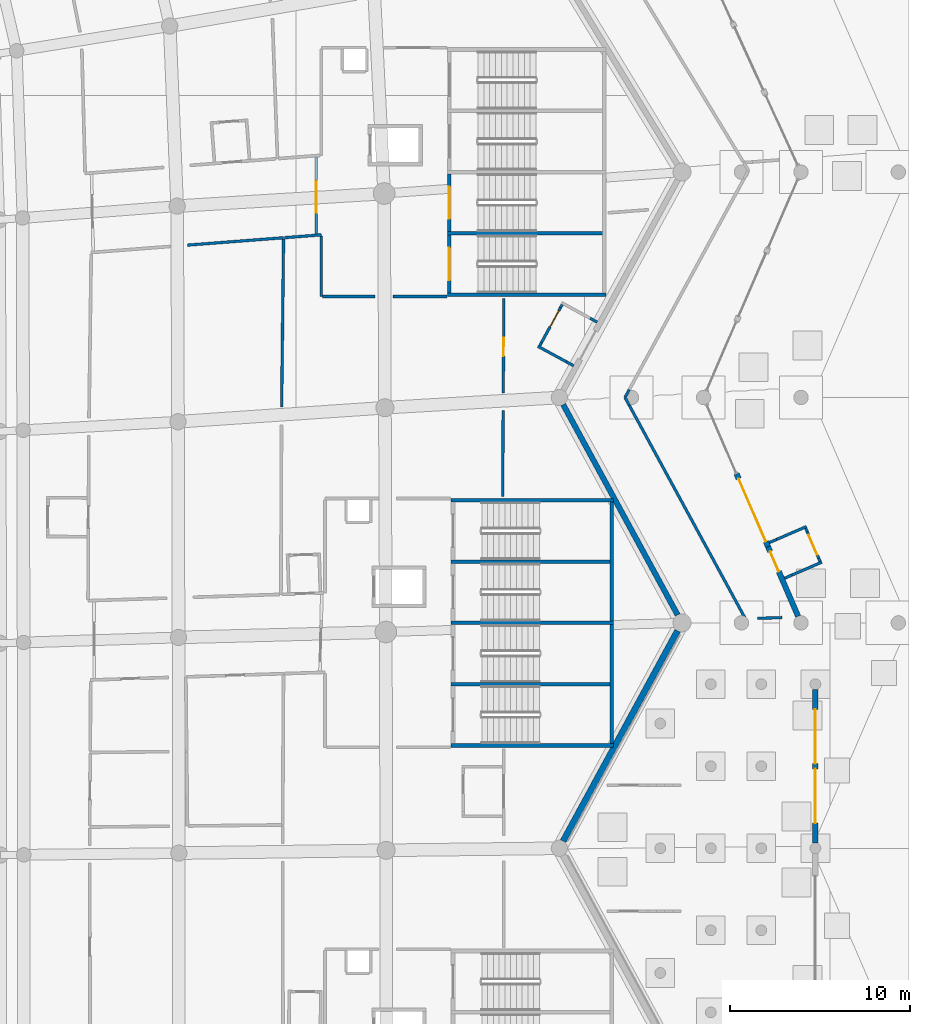
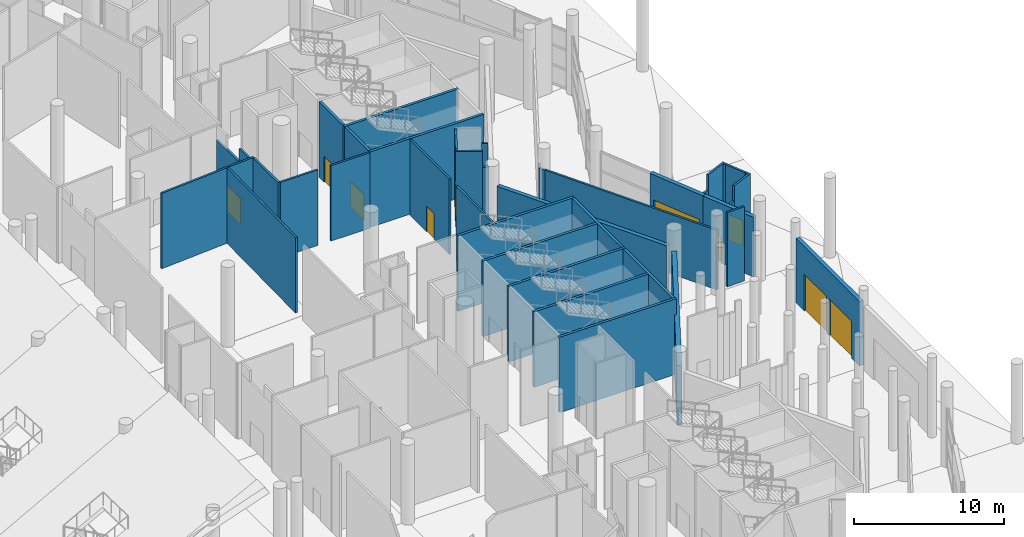
# One storey, part 146 of 255: 43 walls, 10 doors, 10 openings.
"""IFC4 building model written with IfcOpenShell, lengths in metres."""

from ifc_helpers import new_model, si_unit, direction, frame, frame_2d, origin, place, context, subcontext, project, spatial, rectangle, extrude, material, layer, layer_set, type_object, element, fill, save


model = new_model("IFC4")

# Units and contexts
model_context = context("Model", 3, precision=1e-05, world=origin(), true_north=direction((0.0, 1.0)))
body_context = subcontext(model_context, "Body", "Model", "MODEL_VIEW")
ifc_project = project(units=[si_unit("LENGTHUNIT", "METRE"), si_unit("AREAUNIT", "SQUARE_METRE"), si_unit("VOLUMEUNIT", "CUBIC_METRE"), si_unit("PLANEANGLEUNIT", "RADIAN"), si_unit("MASSUNIT", "GRAM", prefix="KILO")], contexts=[model_context])

# Site, building, storey
site_placement = place(None, origin())
site = spatial("IfcSite", under=ifc_project, at=site_placement, CompositionType="ELEMENT")
building_placement = place(site_placement, origin())
building = spatial("IfcBuilding", under=site, at=building_placement, Name="Meseta Stadium", CompositionType="ELEMENT")
storey_placement = place(building_placement, origin())
storey = spatial("IfcBuildingStorey", under=building, at=storey_placement, Name="L00", CompositionType="ELEMENT", Elevation=0.0)

# Walls
ifc_material_1 = material(Name="Concrete C40/50", Category="concrete")
ifc_layer_1 = layer(ifc_material_1, 0.199951171875)
ifc_layer_set_1 = layer_set([ifc_layer_1], Name="Core divider wall 200")
wall_type_1 = type_object("IfcWallType", Name="Core divider wall 200", PredefinedType="SHEAR", material=ifc_layer_set_1)
for number, where, z_axis, x_axis, name in (
    (1, (97.60009765625, 15.35009765625, 0.0), (0.0, 0.0, 1.0), (-1.0, 0.0, 0.0), "Core 04 L00 stair A divider wall"),
    (2, (97.60009765625, 22.14990234375, 0.0), (0.0, 0.0, 1.0), (-1.0, 0.0, 0.0), "Core 04 L00 stair B divider wall"),
):
    element("IfcWall", number, at=place(storey_placement, frame(where, z_axis=z_axis, x_axis=x_axis)), inside=storey, type_object=wall_type_1, Name=name, PredefinedType="SHEAR", context=body_context, shape_type="SweptSolid", body=[
        extrude(rectangle(XDim=9.0, YDim=0.199951171875, at=frame_2d((4.5, 0.0))), origin(), (0.0, 0.0, 1.0), 6.14990234375),
    ])
wall_1_placement = place(storey_placement, frame((97.199951171875, 40.35009765625, 0.0), z_axis=(0.0, 0.0, 1.0), x_axis=(-1.0, 0.0, 0.0)))
element("IfcWall", 3, at=wall_1_placement, inside=storey, type_object=wall_type_1, Name="Core 05 L00 stair A divider wall", PredefinedType="SHEAR", context=body_context, shape_type="SweptSolid", body=[
    extrude(rectangle(XDim=8.800048828125, YDim=0.199951171875, at=frame_2d((4.39990234375, 0.0))), origin(), (0.0, 0.0, 1.0), 6.14990234375),
])
ifc_material_2 = material(Name="Concrete C40/50", Category="concrete")
ifc_layer_2 = layer(ifc_material_2, 0.199951171875)
ifc_layer_set_2 = layer_set([ifc_layer_2], Name="Core shaft wall 200")
wall_type_2 = type_object("IfcWallType", Name="Core shaft wall 200", PredefinedType="SHEAR", material=ifc_layer_set_2)
for number, where, z_axis, x_axis, name in (
    (4, (97.60009765625, 11.949951171875, 0.0), (0.0, 0.0, 1.0), (-1.0, 0.0, 0.0), "Core 04 L00 stair wall A-side"),
    (5, (97.60009765625, 18.75, 0.0), (0.0, 0.0, 1.0), (-1.0, 0.0, 0.0), "Core 04 L00 stair wall shared"),
    (6, (97.60009765625, 25.550048828125, 0.0), (0.0, 0.0, 1.0), (-1.0, 0.0, 0.0), "Core 04 L00 stair wall B-side"),
):
    element("IfcWall", number, at=place(storey_placement, frame(where, z_axis=z_axis, x_axis=x_axis)), inside=storey, type_object=wall_type_2, Name=name, PredefinedType="SHEAR", context=body_context, shape_type="SweptSolid", body=[
        extrude(rectangle(XDim=9.0, YDim=0.199951171875, at=frame_2d((4.5, 0.0))), origin(), (0.0, 0.0, 1.0), 6.14990234375),
    ])
for number, where, z_axis, x_axis, name in (
    (7, (97.5, 12.050048828125, 0.0), (0.0, 0.0, 1.0), (0.0, 1.0, 0.0), "Core 04 L00 stair A outer end wall"),
    (8, (97.5, 18.85009765625, 0.0), (0.0, 0.0, 1.0), (0.0, 1.0, 0.0), "Core 04 L00 stair B outer end wall"),
):
    element("IfcWall", number, at=place(storey_placement, frame(where, z_axis=z_axis, x_axis=x_axis)), inside=storey, type_object=wall_type_2, Name=name, PredefinedType="SHEAR", context=body_context, shape_type="SweptSolid", body=[
        extrude(rectangle(XDim=6.599853515625, YDim=0.199951171875, at=frame_2d((3.2998046875, 0.0))), origin(), (0.0, 0.0, 1.0), 6.14990234375),
    ])
wall_2_placement = place(storey_placement, frame((97.199951171875, 36.949951171875, 0.0), z_axis=(0.0, 0.0, 1.0), x_axis=(-1.0, 0.0, 0.0)))
element("IfcWall", 9, at=wall_2_placement, inside=storey, type_object=wall_type_2, Name="Core 05 L00 stair wall A-side", PredefinedType="SHEAR", context=body_context, shape_type="SweptSolid", body=[
    extrude(rectangle(XDim=8.800048828125, YDim=0.199951171875, at=frame_2d((4.39990234375, 0.0))), origin(), (0.0, 0.0, 1.0), 6.14990234375),
])

# Wall, opening, door
wall_3_placement = place(storey_placement, frame((88.5, 37.050048828125, 0.0), z_axis=(0.0, 0.0, 1.0), x_axis=(0.0, 1.0, 0.0)))
wall_3 = element("IfcWall", 10, at=wall_3_placement, inside=storey, type_object=wall_type_2, Name="Core 05 L00 stair A1 inner end wall", PredefinedType="SHEAR", context=body_context, shape_type="SweptSolid", body=[
    extrude(rectangle(XDim=3.199951171875, YDim=0.199951171875, at=frame_2d((1.60009765625, 0.0))), origin(), (0.0, 0.0, 1.0), 6.14990234375),
])
opening_1_placement = place(wall_3_placement, frame((0.699951171875, 0.0, 0.0)))
opening_1 = element("IfcOpeningElement", 11, at=opening_1_placement, cuts=wall_3, Name="Opening D083", PredefinedType="OPENING", context=body_context, shape_type="SweptSolid", body=[
    extrude(rectangle(XDim=1.800048828125, YDim=2.10009765625, at=frame_2d((0.89990234375, 1.050048828125))), frame((0.0, 0.10986328125, 0.0), z_axis=(0.0, -1.0, 0.0), x_axis=(1.0, 0.0, 0.0)), (0.0, 0.0, 1.0), 0.219970703125),
])
ifc_material_3 = material(Name="Steel", Category="steel")
door_type_1 = type_object("IfcDoorType", Name="Stair door 1800x2100", OperationType="DOUBLE_DOOR_SINGLE_SWING", PredefinedType="DOOR", material=ifc_material_3)
door_1_placement = place(opening_1_placement, origin())
door_1 = element("IfcDoor", 12, at=door_1_placement, inside=storey, type_object=door_type_1, Name="Stair A1 door 05 L00", OperationType="DOUBLE_DOOR_SINGLE_SWING", OverallHeight=2.10009765625, OverallWidth=1.800048828125, PredefinedType="DOOR", context=body_context, shape_type="SweptSolid", body=[
    extrude(rectangle(XDim=1.800048828125, YDim=2.10009765625, at=frame_2d((0.89990234375, 1.050048828125))), frame((0.0, 0.02490234375, 0.0), z_axis=(0.0, -1.0, 0.0), x_axis=(1.0, 0.0, 0.0)), (0.0, 0.0, 1.0), 0.050048828125),
])
fill(opening_1, door_1)

wall_4_placement = place(storey_placement, frame((88.5, 40.449951171875, 0.0), z_axis=(0.0, 0.0, 1.0), x_axis=(0.0, 1.0, 0.0)))
wall_4 = element("IfcWall", 13, at=wall_4_placement, inside=storey, type_object=wall_type_2, Name="Core 05 L00 stair A2 inner end wall", PredefinedType="SHEAR", context=body_context, shape_type="SweptSolid", body=[
    extrude(rectangle(XDim=3.199951171875, YDim=0.199951171875, at=frame_2d((1.60009765625, 0.0))), origin(), (0.0, 0.0, 1.0), 6.14990234375),
])
opening_2_placement = place(wall_4_placement, frame((0.699951171875, 0.0, 0.0)))
opening_2 = element("IfcOpeningElement", 14, at=opening_2_placement, cuts=wall_4, Name="Opening D084", PredefinedType="OPENING", context=body_context, shape_type="SweptSolid", body=[
    extrude(rectangle(XDim=1.800048828125, YDim=2.10009765625, at=frame_2d((0.89990234375, 1.050048828125))), frame((0.0, 0.10986328125, 0.0), z_axis=(0.0, -1.0, 0.0), x_axis=(1.0, 0.0, 0.0)), (0.0, 0.0, 1.0), 0.219970703125),
])
door_2_placement = place(opening_2_placement, origin())
door_2 = element("IfcDoor", 15, at=door_2_placement, inside=storey, type_object=door_type_1, Name="Stair A2 door 05 L00", OperationType="DOUBLE_DOOR_SINGLE_SWING", OverallHeight=2.10009765625, OverallWidth=1.800048828125, PredefinedType="DOOR", context=body_context, shape_type="SweptSolid", body=[
    extrude(rectangle(XDim=1.800048828125, YDim=2.10009765625, at=frame_2d((0.89990234375, 1.050048828125))), frame((0.0, 0.02490234375, 0.0), z_axis=(0.0, -1.0, 0.0), x_axis=(1.0, 0.0, 0.0)), (0.0, 0.0, 1.0), 0.050048828125),
])
fill(opening_2, door_2)

# Wall, openings, doors
ifc_material_4 = material(Name="Precast concrete C40/50", Category="concrete")
ifc_layer_3 = layer(ifc_material_4, 0.300048828125)
ifc_layer_set_3 = layer_set([ifc_layer_3], Name="Gate facade panel wall 300")
wall_type_3 = type_object("IfcWallType", Name="Gate facade panel wall 300", PredefinedType="SOLIDWALL", material=ifc_layer_set_3)
wall_5_placement = place(storey_placement, frame((108.800048828125, 15.050048828125, 0.0), z_axis=(0.0, 0.0, 1.0), x_axis=(0.0, -1.0, 0.0)))
wall_5 = element("IfcWall", 16, at=wall_5_placement, inside=storey, type_object=wall_type_3, Name="Gate 1 entrance wall", PredefinedType="SOLIDWALL", context=body_context, shape_type="SweptSolid", body=[
    extrude(rectangle(XDim=8.5, YDim=0.300048828125, at=frame_2d((4.25, 0.0))), origin(), (0.0, 0.0, 1.0), 5.25),
])
opening_3_placement = place(wall_5_placement, frame((4.39990234375, 0.0, 0.0)))
opening_3 = element("IfcOpeningElement", 17, at=opening_3_placement, cuts=wall_5, Name="Opening D005", PredefinedType="OPENING", context=body_context, shape_type="SweptSolid", body=[
    extrude(rectangle(XDim=3.0, YDim=3.0, at=frame_2d((1.5, 1.5))), frame((0.0, 0.159912109375, 0.0), z_axis=(0.0, -1.0, 0.0), x_axis=(1.0, 0.0, 0.0)), (0.0, 0.0, 1.0), 0.320068359375),
])
opening_4_placement = place(wall_5_placement, frame((1.10009765625, 0.0, 0.0)))
opening_4 = element("IfcOpeningElement", 18, at=opening_4_placement, cuts=wall_5, Name="Opening D006", PredefinedType="OPENING", context=body_context, shape_type="SweptSolid", body=[
    extrude(rectangle(XDim=3.0, YDim=3.0, at=frame_2d((1.5, 1.5))), frame((0.0, 0.159912109375, 0.0), z_axis=(0.0, -1.0, 0.0), x_axis=(1.0, 0.0, 0.0)), (0.0, 0.0, 1.0), 0.320068359375),
])
ifc_material_5 = material(Name="Steel", Category="steel")
door_type_2 = type_object("IfcDoorType", Name="Pedestrian exit door 3000x3000", OperationType="DOUBLE_DOOR_SINGLE_SWING", PredefinedType="DOOR", material=ifc_material_5)
door_3_placement = place(opening_3_placement, origin())
door_3 = element("IfcDoor", 19, at=door_3_placement, inside=storey, type_object=door_type_2, Name="Pedestrian exit gate G1", OperationType="DOUBLE_DOOR_SINGLE_SWING", OverallHeight=3.0, OverallWidth=3.0, PredefinedType="DOOR", context=body_context, shape_type="SweptSolid", body=[
    extrude(rectangle(XDim=3.0, YDim=3.0, at=frame_2d((1.5, 1.5))), frame((0.0, 0.02490234375, 0.0), z_axis=(0.0, -1.0, 0.0), x_axis=(1.0, 0.0, 0.0)), (0.0, 0.0, 1.0), 0.050048828125),
])
fill(opening_3, door_3)
door_4_placement = place(opening_4_placement, origin())
door_4 = element("IfcDoor", 20, at=door_4_placement, inside=storey, type_object=door_type_2, Name="Pedestrian exit gate G1", OperationType="DOUBLE_DOOR_SINGLE_SWING", OverallHeight=3.0, OverallWidth=3.0, PredefinedType="DOOR", context=body_context, shape_type="SweptSolid", body=[
    extrude(rectangle(XDim=3.0, YDim=3.0, at=frame_2d((1.5, 1.5))), frame((0.0, 0.02490234375, 0.0), z_axis=(0.0, -1.0, 0.0), x_axis=(1.0, 0.0, 0.0)), (0.0, 0.0, 1.0), 0.050048828125),
])
fill(opening_4, door_4)

# Walls
ifc_material_6 = material(Name="Masonry blockwork", Category="masonry")
ifc_layer_4 = layer(ifc_material_6, 0.14990234375)
ifc_layer_set_4 = layer_set([ifc_layer_4], Name="Partition 150")
wall_type_4 = type_object("IfcWallType", Name="Partition 150", PredefinedType="PARTITIONING", material=ifc_layer_set_4)
wall_6_placement = place(storey_placement, frame((73.971923828125, 39.69921875, 0.0), z_axis=(0.0, 0.0, 1.0), x_axis=(0.997067356456, 0.076528992484, 0.0)))
element("IfcWall", 21, at=wall_6_placement, inside=storey, type_object=wall_type_4, Name="Partition L00 L00-cell03-1-0", PredefinedType="PARTITIONING", context=body_context, shape_type="SweptSolid", body=[
    extrude(rectangle(XDim=5.349853515625, YDim=0.14990234375, at=frame_2d((2.6748046875, 0.0))), origin(), (0.0, 0.0, 1.0), 6.14990234375),
])
wall_7_placement = place(storey_placement, frame((79.305419921875, 40.033447265625, 0.0), z_axis=(0.0, 0.0, 1.0), x_axis=(-0.011498912263, -0.999933885323, 0.0)))
element("IfcWall", 22, at=wall_7_placement, inside=storey, type_object=wall_type_4, Name="Partition L00 L00-cell03-1-0", PredefinedType="PARTITIONING", context=body_context, shape_type="SweptSolid", body=[
    extrude(rectangle(XDim=9.32080078125, YDim=0.14990234375, at=frame_2d((4.660400390625, 0.0))), origin(), (0.0, 0.0, 1.0), 6.14990234375),
])
wall_8_placement = place(storey_placement, frame((79.35595703125, 40.112548828125, 0.0), z_axis=(0.0, 0.0, 1.0), x_axis=(0.997072672084, 0.076459705623, 0.0)))
element("IfcWall", 23, at=wall_8_placement, inside=storey, type_object=wall_type_4, Name="Partition L00 L00-cell03-2-0", PredefinedType="PARTITIONING", context=body_context, shape_type="SweptSolid", body=[
    extrude(rectangle(XDim=2.050048828125, YDim=0.14990234375, at=frame_2d((1.02490234375, 0.0))), origin(), (0.0, 0.0, 1.0), 6.14990234375),
])
wall_9_placement = place(storey_placement, frame((81.39990234375, 40.194091796875, 0.0), z_axis=(0.0, 0.0, 1.0), x_axis=(0.0, -1.0, 0.0)))
element("IfcWall", 24, at=wall_9_placement, inside=storey, type_object=wall_type_4, Name="Partition L00 L00-cell03-2-0", PredefinedType="PARTITIONING", context=body_context, shape_type="SweptSolid", body=[
    extrude(rectangle(XDim=3.343994140625, YDim=0.14990234375, at=frame_2d((1.671875, 0.0))), origin(), (0.0, 0.0, 1.0), 6.14990234375),
])
wall_10_placement = place(storey_placement, frame((81.47509765625, 36.85009765625, 0.0), z_axis=(0.0, 0.0, 1.0), x_axis=(1.0, 0.0, 0.0)))
element("IfcWall", 25, at=wall_10_placement, inside=storey, type_object=wall_type_4, Name="Partition L00 L00-cell03-2-0", PredefinedType="PARTITIONING", context=body_context, shape_type="SweptSolid", body=[
    extrude(rectangle(XDim=2.90771484375, YDim=0.14990234375, at=frame_2d((1.453857421875, 0.0))), origin(), (0.0, 0.0, 1.0), 6.14990234375),
])
wall_11_placement = place(storey_placement, frame((85.377197265625, 36.85009765625, 0.0), z_axis=(0.0, 0.0, 1.0), x_axis=(1.0, 0.0, 0.0)))
element("IfcWall", 26, at=wall_11_placement, inside=storey, type_object=wall_type_4, Name="Partition L00 L00-cell03-2-0", PredefinedType="PARTITIONING", context=body_context, shape_type="SweptSolid", body=[
    extrude(rectangle(XDim=2.98291015625, YDim=0.14990234375, at=frame_2d((1.491455078125, 0.0))), origin(), (0.0, 0.0, 1.0), 6.14990234375),
])

# Wall, opening, door
wall_12_placement = place(storey_placement, frame((91.489990234375, 31.489013671875, 0.0), z_axis=(0.0, 0.0, 1.0), x_axis=(0.006125459352, 0.999981239198, 0.0)))
wall_12 = element("IfcWall", 27, at=wall_12_placement, inside=storey, type_object=wall_type_4, Name="Partition L00 L00-cell03-2-0", PredefinedType="PARTITIONING", context=body_context, shape_type="SweptSolid", body=[
    extrude(rectangle(XDim=5.260986328125, YDim=0.14990234375, at=frame_2d((2.63037109375, 0.0))), origin(), (0.0, 0.0, 1.0), 6.14990234375),
])
opening_5_placement = place(wall_12_placement, frame((2.06103515625, 0.0, 0.0)))
opening_5 = element("IfcOpeningElement", 28, at=opening_5_placement, cuts=wall_12, Name="Opening D548", PredefinedType="OPENING", context=body_context, shape_type="SweptSolid", body=[
    extrude(rectangle(XDim=1.0, YDim=2.10009765625, at=frame_2d((0.5, 1.050048828125))), frame((0.0, 0.0849609375, 0.0), z_axis=(0.0, -1.0, 0.0), x_axis=(1.0, 0.0, 0.0)), (0.0, 0.0, 1.0), 0.169921875),
])
ifc_material_7 = material(Name="Steel", Category="steel")
door_type_3 = type_object("IfcDoorType", Name="Fire door 1000x2100 EI2 60", OperationType="NOTDEFINED", PredefinedType="DOOR", material=ifc_material_7)
door_5_placement = place(opening_5_placement, origin())
door_5 = element("IfcDoor", 29, at=door_5_placement, inside=storey, type_object=door_type_3, Name="Door D548", OperationType="SINGLE_SWING_RIGHT", OverallHeight=2.10009765625, OverallWidth=1.0, PredefinedType="DOOR", context=body_context, shape_type="SweptSolid", body=[
    extrude(rectangle(XDim=1.0, YDim=2.10009765625, at=frame_2d((0.5, 1.050048828125))), frame((0.0, 0.02490234375, 0.0), z_axis=(0.0, -1.0, 0.0), x_axis=(1.0, 0.0, 0.0)), (0.0, 0.0, 1.0), 0.050048828125),
])
fill(opening_5, door_5)

# Walls
wall_13_placement = place(storey_placement, frame((91.484130859375, 30.53271484375, 0.0), z_axis=(0.0, 0.0, 1.0), x_axis=(-0.006125459352, -0.999981239198, 0.0)))
element("IfcWall", 30, at=wall_13_placement, inside=storey, type_object=wall_type_4, Name="Partition L00 L00-cell03-2-0", PredefinedType="PARTITIONING", context=body_context, shape_type="SweptSolid", body=[
    extrude(rectangle(XDim=4.78271484375, YDim=0.14990234375, at=frame_2d((2.391357421875, 0.0))), origin(), (0.0, 0.0, 1.0), 6.14990234375),
])
wall_14_placement = place(storey_placement, frame((104.906982421875, 19.0, 0.0), z_axis=(0.0, 0.0, 1.0), x_axis=(-0.47786854719, 0.878431358506, 0.0)))
element("IfcWall", 31, at=wall_14_placement, inside=storey, type_object=wall_type_4, Name="Partition L00 L00-ring03-0", PredefinedType="PARTITIONING", context=body_context, shape_type="SweptSolid", body=[
    extrude(rectangle(XDim=13.447265625, YDim=0.14990234375, at=frame_2d((6.7236328125, 0.0))), origin(), (0.0, 0.0, 1.0), 4.85009765625),
])
wall_15_placement = place(storey_placement, frame((98.48095703125, 30.8125, 0.0), z_axis=(0.0, 0.0, 1.0), x_axis=(-0.477924582155, 0.878400873048, 0.0)))
element("IfcWall", 32, at=wall_15_placement, inside=storey, type_object=wall_type_4, Name="Partition L00 L00-ring03-0", PredefinedType="PARTITIONING", context=body_context, shape_type="SweptSolid", body=[
    extrude(rectangle(XDim=0.498046875, YDim=0.14990234375, at=frame_2d((0.2490234375, 0.0))), origin(), (0.0, 0.0, 1.0), 4.85009765625),
])
wall_16_placement = place(storey_placement, frame((98.242919921875, 31.25, 0.0), z_axis=(0.0, 0.0, 1.0), x_axis=(0.477778636386, 0.878480264214, 0.0)))
element("IfcWall", 33, at=wall_16_placement, inside=storey, type_object=wall_type_4, Name="Partition L00 L00-ring03-0", PredefinedType="PARTITIONING", context=body_context, shape_type="SweptSolid", body=[
    extrude(rectangle(XDim=0.494140625, YDim=0.14990234375, at=frame_2d((0.2470703125, 0.0))), origin(), (0.0, 0.0, 1.0), 4.85009765625),
])
wall_17_placement = place(storey_placement, frame((106.947021484375, 19.044189453125, 0.0), z_axis=(0.0, 0.0, 1.0), x_axis=(-0.999462261946, -0.032790043395, 0.0)))
element("IfcWall", 34, at=wall_17_placement, inside=storey, type_object=wall_type_4, Name="Partition L00 L00-ring03-0", PredefinedType="PARTITIONING", context=body_context, shape_type="SweptSolid", body=[
    extrude(rectangle(XDim=1.34765625, YDim=0.14990234375, at=frame_2d((0.673828125, 0.0))), origin(), (0.0, 0.0, 1.0), 6.050048828125),
])
for number, where, z_axis, x_axis, name in (
    (35, (96.7021484375, 35.42822265625, 0.0), (0.0, 0.0, 1.0), (-0.878372019733, 0.477977609256, 0.0), "Partition L00 L00-cell03-3-0 vestibule"),
    (36, (95.38818359375, 33.0126953125, 0.0), (0.0, 0.0, 1.0), (-0.878372019733, 0.477977609256, 0.0), "Partition L00 L00-cell03-3-0 vestibule"),
):
    element("IfcWall", number, at=place(storey_placement, frame(where, z_axis=z_axis, x_axis=x_axis)), inside=storey, type_object=wall_type_4, Name=name, PredefinedType="PARTITIONING", context=body_context, shape_type="SweptSolid", body=[
        extrude(rectangle(XDim=0.449951171875, YDim=0.14990234375, at=frame_2d((0.22509765625, 0.0))), origin(), (0.0, 0.0, 1.0), 4.85009765625),
    ])
wall_18_placement = place(storey_placement, frame((94.992919921875, 33.227783203125, 0.0), z_axis=(0.0, 0.0, 1.0), x_axis=(-0.878459932885, 0.477816017223, 0.0)))
element("IfcWall", 37, at=wall_18_placement, inside=storey, type_object=wall_type_4, Name="Partition L00 L00-cell03-3-0 vestibule", PredefinedType="PARTITIONING", context=body_context, shape_type="SweptSolid", body=[
    extrude(rectangle(XDim=1.800048828125, YDim=0.14990234375, at=frame_2d((0.89990234375, 0.0))), origin(), (0.0, 0.0, 1.0), 6.14990234375),
])
wall_19_placement = place(storey_placement, frame((94.755859375, 36.40185546875, 0.0), z_axis=(0.0, 0.0, 1.0), x_axis=(-0.478168266369, -0.878268244352, 0.0)))
element("IfcWall", 38, at=wall_19_placement, inside=storey, type_object=wall_type_4, Name="Partition L00 L00-cell03-3-0 vestibule", PredefinedType="PARTITIONING", context=body_context, shape_type="SweptSolid", body=[
    extrude(rectangle(XDim=0.2001953125, YDim=0.14990234375, at=frame_2d((0.10009765625, 0.0))), origin(), (0.0, 0.0, 1.0), 6.14990234375),
])

# Wall, opening, door
wall_20_placement = place(storey_placement, frame((94.66015625, 36.22607421875, 0.0), z_axis=(0.0, 0.0, 1.0), x_axis=(-0.477887643273, -0.878420969927, 0.0)))
wall_20 = element("IfcWall", 39, at=wall_20_placement, inside=storey, type_object=wall_type_4, Name="Partition L00 L00-cell03-3-0 vestibule", PredefinedType="PARTITIONING", context=body_context, shape_type="SweptSolid", body=[
    extrude(rectangle(XDim=2.19970703125, YDim=0.14990234375, at=frame_2d((1.099853515625, 0.0))), origin(), (0.0, 0.0, 1.0), 6.14990234375),
])
opening_6_placement = place(wall_20_placement, frame((0.199951171875, 0.0, 0.0)))
opening_6 = element("IfcOpeningElement", 40, at=opening_6_placement, cuts=wall_20, Name="Opening D828", PredefinedType="OPENING", context=body_context, shape_type="SweptSolid", body=[
    extrude(rectangle(XDim=1.0, YDim=2.10009765625, at=frame_2d((0.5, 1.050048828125))), frame((0.0, 0.0849609375, 0.0), z_axis=(0.0, -1.0, 0.0), x_axis=(1.0, 0.0, 0.0)), (0.0, 0.0, 1.0), 0.169921875),
])
door_6_placement = place(opening_6_placement, origin())
door_6 = element("IfcDoor", 41, at=door_6_placement, inside=storey, type_object=door_type_3, Name="Vestibule door L00 L00-cell03-3-0", OperationType="SINGLE_SWING_LEFT", OverallHeight=2.10009765625, OverallWidth=1.0, PredefinedType="DOOR", context=body_context, shape_type="SweptSolid", body=[
    extrude(rectangle(XDim=1.0, YDim=2.10009765625, at=frame_2d((0.5, 1.050048828125))), frame((0.0, 0.02490234375, 0.0), z_axis=(0.0, -1.0, 0.0), x_axis=(1.0, 0.0, 0.0)), (0.0, 0.0, 1.0), 0.050048828125),
])
fill(opening_6, door_6)

# Walls
wall_21_placement = place(storey_placement, frame((93.60888671875, 34.293701171875, 0.0), z_axis=(0.0, 0.0, 1.0), x_axis=(-0.477226530971, -0.878780312785, 0.0)))
element("IfcWall", 42, at=wall_21_placement, inside=storey, type_object=wall_type_4, Name="Partition L00 L00-cell03-3-0 vestibule", PredefinedType="PARTITIONING", context=body_context, shape_type="SweptSolid", body=[
    extrude(rectangle(XDim=0.199951171875, YDim=0.14990234375, at=frame_2d((0.10009765625, 0.0))), origin(), (0.0, 0.0, 1.0), 6.14990234375),
])
wall_22_placement = place(storey_placement, frame((106.24072265625, 23.200439453125, 0.0), z_axis=(0.0, 0.0, 1.0), x_axis=(0.91799053418, 0.396602293431, 0.0)))
element("IfcWall", 43, at=wall_22_placement, inside=storey, type_object=wall_type_4, Name="Partition L00 L00-ring03-0 vestibule", PredefinedType="PARTITIONING", context=body_context, shape_type="SweptSolid", body=[
    extrude(rectangle(XDim=0.449951171875, YDim=0.14990234375, at=frame_2d((0.22509765625, 0.0))), origin(), (0.0, 0.0, 1.0), 4.85009765625),
])
wall_23_placement = place(storey_placement, frame((106.65380859375, 23.37890625, 0.0), z_axis=(0.0, 0.0, 1.0), x_axis=(0.918011864983, 0.39655291671, 0.0)))
element("IfcWall", 44, at=wall_23_placement, inside=storey, type_object=wall_type_4, Name="Partition L00 L00-ring03-0 vestibule", PredefinedType="PARTITIONING", context=body_context, shape_type="SweptSolid", body=[
    extrude(rectangle(XDim=1.80029296875, YDim=0.14990234375, at=frame_2d((0.900146484375, 0.0))), origin(), (0.0, 0.0, 1.0), 6.10009765625),
])
wall_24_placement = place(storey_placement, frame((107.093505859375, 21.226806640625, 0.0), z_axis=(0.0, 0.0, 1.0), x_axis=(0.91799053418, 0.396602293431, 0.0)))
element("IfcWall", 45, at=wall_24_placement, inside=storey, type_object=wall_type_4, Name="Partition L00 L00-ring03-0 vestibule", PredefinedType="PARTITIONING", context=body_context, shape_type="SweptSolid", body=[
    extrude(rectangle(XDim=0.449951171875, YDim=0.14990234375, at=frame_2d((0.22509765625, 0.0))), origin(), (0.0, 0.0, 1.0), 4.85009765625),
])
wall_25_placement = place(storey_placement, frame((107.506591796875, 21.4052734375, 0.0), z_axis=(0.0, 0.0, 1.0), x_axis=(0.91799053418, 0.396602293431, 0.0)))
element("IfcWall", 46, at=wall_25_placement, inside=storey, type_object=wall_type_4, Name="Partition L00 L00-ring03-0 vestibule", PredefinedType="PARTITIONING", context=body_context, shape_type="SweptSolid", body=[
    extrude(rectangle(XDim=1.800048828125, YDim=0.14990234375, at=frame_2d((0.89990234375, 0.0))), origin(), (0.0, 0.0, 1.0), 6.10009765625),
])
wall_26_placement = place(storey_placement, frame((108.26708984375, 23.994140625, 0.0), z_axis=(0.0, 0.0, 1.0), x_axis=(0.396716586321, -0.917941147426, 0.0)))
element("IfcWall", 47, at=wall_26_placement, inside=storey, type_object=wall_type_4, Name="Partition L00 L00-ring03-0 vestibule", PredefinedType="PARTITIONING", context=body_context, shape_type="SweptSolid", body=[
    extrude(rectangle(XDim=0.199951171875, YDim=0.14990234375, at=frame_2d((0.10009765625, 0.0))), origin(), (0.0, 0.0, 1.0), 6.10009765625),
])

# Wall, opening, door
wall_27_placement = place(storey_placement, frame((108.346435546875, 23.810546875, 0.0), z_axis=(0.0, 0.0, 1.0), x_axis=(0.396588005523, -0.917996706898, 0.0)))
wall_27 = element("IfcWall", 48, at=wall_27_placement, inside=storey, type_object=wall_type_4, Name="Partition L00 L00-ring03-0 vestibule", PredefinedType="PARTITIONING", context=body_context, shape_type="SweptSolid", body=[
    extrude(rectangle(XDim=1.599853515625, YDim=0.14990234375, at=frame_2d((0.7998046875, 0.0))), origin(), (0.0, 0.0, 1.0), 6.10009765625),
])
opening_7_placement = place(wall_27_placement, frame((0.199951171875, 0.0, 0.0)))
opening_7 = element("IfcOpeningElement", 49, at=opening_7_placement, cuts=wall_27, Name="Opening D870", PredefinedType="OPENING", context=body_context, shape_type="SweptSolid", body=[
    extrude(rectangle(XDim=1.199951171875, YDim=2.10009765625, at=frame_2d((0.60009765625, 1.050048828125))), frame((0.0, 0.0849609375, 0.0), z_axis=(0.0, -1.0, 0.0), x_axis=(1.0, 0.0, 0.0)), (0.0, 0.0, 1.0), 0.169921875),
])
ifc_material_8 = material(Name="Steel", Category="steel")
door_type_4 = type_object("IfcDoorType", Name="Fire door 1200x2100 EI2 60", OperationType="NOTDEFINED", PredefinedType="DOOR", material=ifc_material_8)
door_7_placement = place(opening_7_placement, origin())
door_7 = element("IfcDoor", 50, at=door_7_placement, inside=storey, type_object=door_type_4, Name="Vestibule door L00 L00-ring03-0", OperationType="SINGLE_SWING_RIGHT", OverallHeight=2.10009765625, OverallWidth=1.199951171875, PredefinedType="DOOR", context=body_context, shape_type="SweptSolid", body=[
    extrude(rectangle(XDim=1.199951171875, YDim=2.10009765625, at=frame_2d((0.60009765625, 1.050048828125))), frame((0.0, 0.02490234375, 0.0), z_axis=(0.0, -1.0, 0.0), x_axis=(1.0, 0.0, 0.0)), (0.0, 0.0, 1.0), 0.050048828125),
])
fill(opening_7, door_7)

# Wall
wall_28_placement = place(storey_placement, frame((108.98095703125, 22.341796875, 0.0), z_axis=(0.0, 0.0, 1.0), x_axis=(0.396716586321, -0.917941147426, 0.0)))
element("IfcWall", 51, at=wall_28_placement, inside=storey, type_object=wall_type_4, Name="Partition L00 L00-ring03-0 vestibule", PredefinedType="PARTITIONING", context=body_context, shape_type="SweptSolid", body=[
    extrude(rectangle(XDim=0.199951171875, YDim=0.14990234375, at=frame_2d((0.10009765625, 0.0))), origin(), (0.0, 0.0, 1.0), 6.10009765625),
])

# Wall, opening, door
wall_29_placement = place(storey_placement, frame((81.125, 40.330322265625, 0.0), z_axis=(0.0, 0.0, 1.0), x_axis=(0.0, 1.0, 0.0)))
wall_29 = element("IfcWall", 52, at=wall_29_placement, inside=storey, type_object=wall_type_4, Name="Escape corridor sector wall L00 core 05", PredefinedType="PARTITIONING", context=body_context, shape_type="SweptSolid", body=[
    extrude(rectangle(XDim=4.2490234375, YDim=0.14990234375, at=frame_2d((2.12451171875, 0.0))), origin(), (0.0, 0.0, 1.0), 5.050048828125),
])
opening_8_placement = place(wall_29_placement, frame((1.14990234375, 0.0, 0.0)))
opening_8 = element("IfcOpeningElement", 53, at=opening_8_placement, cuts=wall_29, Name="Opening D409", PredefinedType="OPENING", context=body_context, shape_type="SweptSolid", body=[
    extrude(rectangle(XDim=1.800048828125, YDim=2.10009765625, at=frame_2d((0.89990234375, 1.050048828125))), frame((0.0, 0.0849609375, 0.0), z_axis=(0.0, -1.0, 0.0), x_axis=(1.0, 0.0, 0.0)), (0.0, 0.0, 1.0), 0.169921875),
])
ifc_material_9 = material(Name="Steel", Category="steel")
door_type_5 = type_object("IfcDoorType", Name="Fire double door 1800x2100 EI2 60", OperationType="DOUBLE_DOOR_SINGLE_SWING", PredefinedType="DOOR", material=ifc_material_9)
door_8_placement = place(opening_8_placement, origin())
door_8 = element("IfcDoor", 54, at=door_8_placement, inside=storey, type_object=door_type_5, Name="Escape corridor door EC05-1", OperationType="DOUBLE_DOOR_SINGLE_SWING", OverallHeight=2.10009765625, OverallWidth=1.800048828125, PredefinedType="DOOR", context=body_context, shape_type="SweptSolid", body=[
    extrude(rectangle(XDim=1.800048828125, YDim=2.10009765625, at=frame_2d((0.89990234375, 1.050048828125))), frame((0.0, 0.02490234375, 0.0), z_axis=(0.0, -1.0, 0.0), x_axis=(1.0, 0.0, 0.0)), (0.0, 0.0, 1.0), 0.050048828125),
])
fill(opening_8, door_8)

# Walls
wall_30_placement = place(storey_placement, frame((81.125, 40.330322265625, 5.050048828125), z_axis=(0.0, 0.0, 1.0), x_axis=(0.0, 1.0, 0.0)))
element("IfcWall", 55, at=wall_30_placement, inside=storey, type_object=wall_type_4, Name="Escape corridor sector wall L00 core 05", PredefinedType="PARTITIONING", context=body_context, shape_type="SweptSolid", body=[
    extrude(rectangle(XDim=1.2177734375, YDim=0.14990234375, at=frame_2d((0.60888671875, 0.0))), origin(), (0.0, 0.0, 1.0), 1.099853515625),
])
ifc_material_10 = material(Name="White precast concrete C40/50", Category="concrete")
ifc_layer_5 = layer(ifc_material_10, 0.300048828125)
ifc_layer_set_5 = layer_set([ifc_layer_5], Name="Pleated panel wall 300 concourse")
wall_type_5 = type_object("IfcWallType", Name="Pleated panel wall 300 concourse", PredefinedType="SOLIDWALL", material=ifc_layer_set_5)
wall_31_placement = place(storey_placement, frame((94.81494140625, 30.854736328125, 0.0), z_axis=(0.0, 0.0, 1.0), x_axis=(0.477867771117, -0.878431780691, 0.0)))
element("IfcWall", 56, at=wall_31_placement, inside=storey, type_object=wall_type_5, Name="Pleated facade panel L00 F06", PredefinedType="SOLIDWALL", context=body_context, shape_type="SweptSolid", body=[
    extrude(rectangle(XDim=13.2802734375, YDim=0.300048828125, at=frame_2d((6.64013671875, 0.0))), origin(), (0.0, 0.0, 1.0), 4.85009765625),
])
ifc_material_11 = material(Name="White precast concrete C40/50", Category="concrete")
ifc_layer_6 = layer(ifc_material_11, 0.35009765625)
ifc_layer_set_6 = layer_set([ifc_layer_6], Name="Pleated panel wall 350 gate")
wall_type_6 = type_object("IfcWallType", Name="Pleated panel wall 350 gate", PredefinedType="SOLIDWALL", material=ifc_layer_set_6)
wall_32_placement = place(storey_placement, frame((101.1611328125, 18.31103515625, 0.0), z_axis=(0.0, 0.0, 1.0), x_axis=(-0.477867771117, -0.878431780691, 0.0)))
element("IfcWall", 57, at=wall_32_placement, inside=storey, type_object=wall_type_6, Name="Pleated facade panel L00 F05", PredefinedType="SOLIDWALL", context=body_context, shape_type="SweptSolid", body=[
    extrude(rectangle(XDim=13.2802734375, YDim=0.35009765625, at=frame_2d((6.64013671875, 0.0))), origin(), (0.0, 0.0, 1.0), 4.85009765625),
])

# Wall, opening, door
ifc_material_12 = material(Name="Precast concrete C40/50", Category="concrete")
ifc_layer_7 = layer(ifc_material_12, 0.300048828125)
ifc_layer_set_7 = layer_set([ifc_layer_7], Name="Ring facade panel wall 300")
wall_type_7 = type_object("IfcWallType", Name="Ring facade panel wall 300", PredefinedType="SOLIDWALL", material=ifc_layer_set_7)
wall_33_placement = place(storey_placement, frame((104.427490234375, 27.01953125, 0.0), z_axis=(0.0, 0.0, 1.0), x_axis=(0.396623075329, -0.917981555434, 0.0)))
wall_33 = element("IfcWall", 58, at=wall_33_placement, inside=storey, type_object=wall_type_7, Name="Ring facade panel wall F06", PredefinedType="SOLIDWALL", context=body_context, shape_type="SweptSolid", body=[
    extrude(rectangle(XDim=4.39990234375, YDim=0.300048828125, at=frame_2d((2.199951171875, 0.0))), origin(), (0.0, 0.0, 1.0), 4.85009765625),
])
opening_9_placement = place(wall_33_placement, frame((0.300048828125, 0.0, 0.0)))
opening_9 = element("IfcOpeningElement", 59, at=opening_9_placement, cuts=wall_33, Name="Opening D936", PredefinedType="OPENING", context=body_context, shape_type="SweptSolid", body=[
    extrude(rectangle(XDim=3.800048828125, YDim=2.800048828125, at=frame_2d((1.89990234375, 1.39990234375))), frame((0.0, 0.159912109375, 0.0), z_axis=(0.0, -1.0, 0.0), x_axis=(1.0, 0.0, 0.0)), (0.0, 0.0, 1.0), 0.320068359375),
])
ifc_material_13 = material(Name="Steel", Category="steel")
door_type_6 = type_object("IfcDoorType", Name="Final exit door 3800x2800", OperationType="DOUBLE_DOOR_SINGLE_SWING", PredefinedType="DOOR", material=ifc_material_13)
door_9_placement = place(opening_9_placement, origin())
door_9 = element("IfcDoor", 60, at=door_9_placement, inside=storey, type_object=door_type_6, Name="Final exit F1", OperationType="DOUBLE_DOOR_SINGLE_SWING", OverallHeight=2.800048828125, OverallWidth=3.800048828125, PredefinedType="DOOR", context=body_context, shape_type="SweptSolid", body=[
    extrude(rectangle(XDim=3.800048828125, YDim=2.800048828125, at=frame_2d((1.89990234375, 1.39990234375))), frame((0.0, 0.02490234375, 0.0), z_axis=(0.0, -1.0, 0.0), x_axis=(1.0, 0.0, 0.0)), (0.0, 0.0, 1.0), 0.050048828125),
])
fill(opening_9, door_9)

wall_34_placement = place(storey_placement, frame((106.172607421875, 22.98046875, 0.0), z_axis=(0.0, 0.0, 1.0), x_axis=(0.396529362849, -0.918022039168, 0.0)))
wall_34 = element("IfcWall", 61, at=wall_34_placement, inside=storey, type_object=wall_type_7, Name="Ring store panel wall F06a", PredefinedType="SOLIDWALL", context=body_context, shape_type="SweptSolid", body=[
    extrude(rectangle(XDim=4.208251953125, YDim=0.300048828125, at=frame_2d((2.10400390625, 0.0))), origin(), (0.0, 0.0, 1.0), 4.85009765625),
])
opening_10_placement = place(wall_34_placement, frame((0.300048828125, 0.0, 0.0)))
opening_10 = element("IfcOpeningElement", 62, at=opening_10_placement, cuts=wall_34, Name="Opening D620", PredefinedType="OPENING", context=body_context, shape_type="SweptSolid", body=[
    extrude(rectangle(XDim=1.199951171875, YDim=2.10009765625, at=frame_2d((0.60009765625, 1.050048828125))), frame((0.0, 0.159912109375, 0.0), z_axis=(0.0, -1.0, 0.0), x_axis=(1.0, 0.0, 0.0)), (0.0, 0.0, 1.0), 0.320068359375),
])
door_10_placement = place(opening_10_placement, origin())
door_10 = element("IfcDoor", 63, at=door_10_placement, inside=storey, type_object=door_type_4, Name="Door D620", OperationType="SINGLE_SWING_LEFT", OverallHeight=2.10009765625, OverallWidth=1.199951171875, PredefinedType="DOOR", context=body_context, shape_type="SweptSolid", body=[
    extrude(rectangle(XDim=1.199951171875, YDim=2.10009765625, at=frame_2d((0.60009765625, 1.050048828125))), frame((0.0, 0.02490234375, 0.0), z_axis=(0.0, -1.0, 0.0), x_axis=(1.0, 0.0, 0.0)), (0.0, 0.0, 1.0), 0.050048828125),
])
fill(opening_10, door_10)

save(model, "model.ifc")
